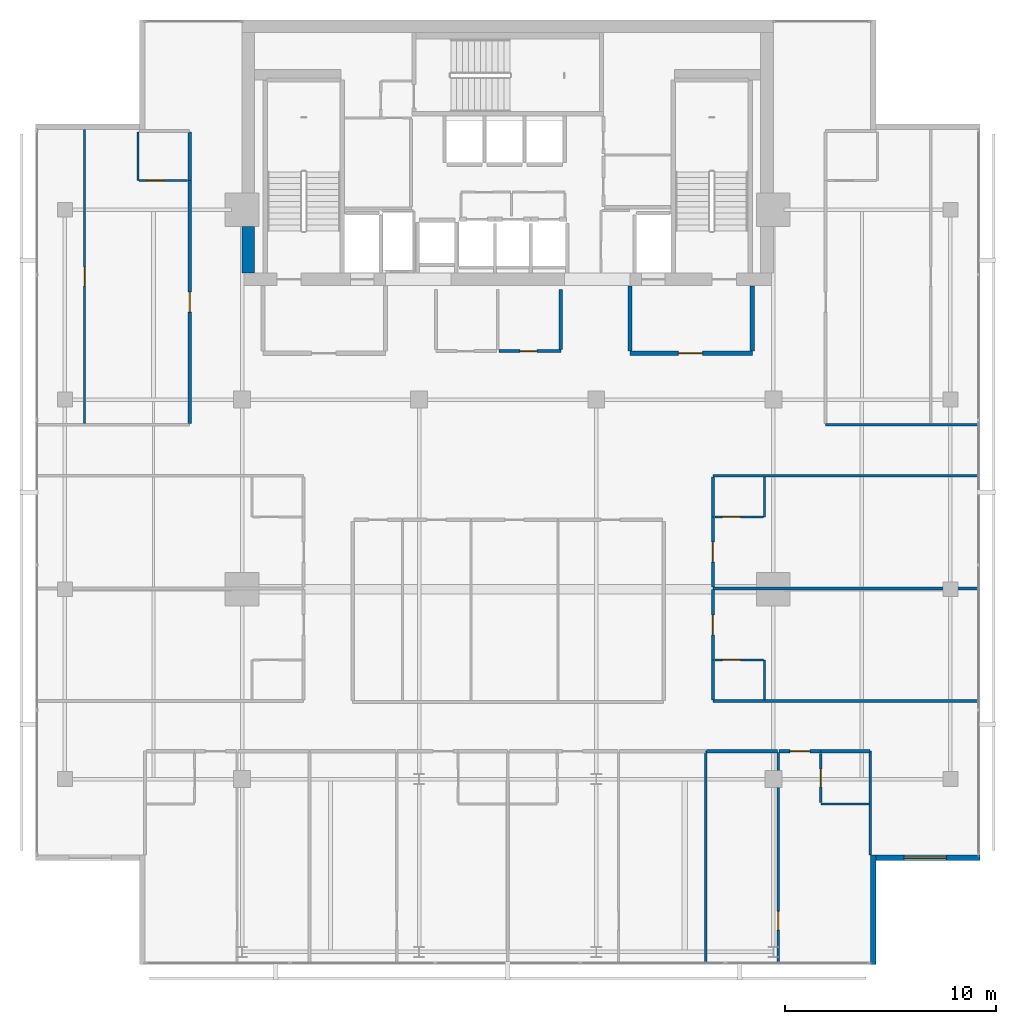
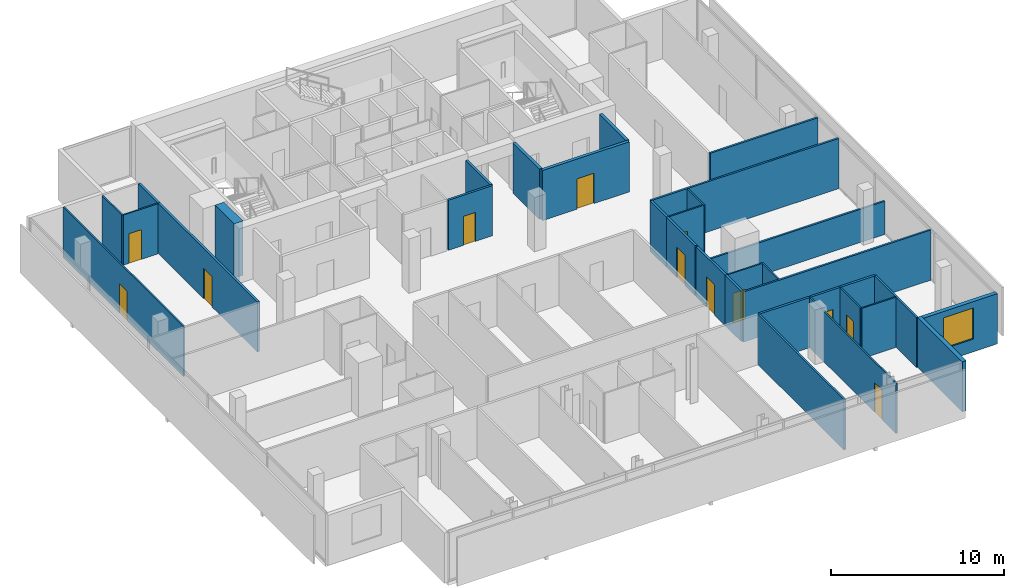
# One storey, part 21 of 26: 33 walls, 12 doors, 1 window, 13 openings.
"""IFC4 building model written with IfcOpenShell, lengths in metres."""

import ifcopenshell
import ifcopenshell.guid

model = None  # the IFC model being written
_history = None  # IfcOwnerHistory: only IFC2X3 demands one
_inside = {}  # id of a spatial element -> (the spatial element, [elements in it])
_under = {}  # id of a project, library or spatial element -> (it, [spatial elements below it])
_declared = {}  # id of a project -> (the project, [libraries it declares])
_typed = {}  # id of a type object -> (the type object, [elements of that type])
_made_of = {}  # id of a material, layer set ... -> (it, [elements and type objects made of it])


def new_model(schema):
    """Start an empty IFC model of exactly this schema.

    Asked for "IFC4X3", IfcOpenShell would pick the latest addendum, in which some entities
    have other attributes; the version numbers below select the first issue.
    IFC2X3 requires an IfcOwnerHistory on every rooted entity: one is made here for all.
    """
    global model, _history
    if schema == "IFC4X3":
        model = ifcopenshell.file(schema_version=(4, 3, 0, 0))
    else:
        model = ifcopenshell.file(schema=schema)
    _inside.clear()
    _under.clear()
    _declared.clear()
    _typed.clear()
    _made_of.clear()
    _history = None
    if model.schema == "IFC2X3":
        org = make("IfcOrganization", Name="unknown")
        user = make(
            "IfcPersonAndOrganization",
            ThePerson=make("IfcPerson", FamilyName="unknown"),
            TheOrganization=org,
        )
        app = make(
            "IfcApplication",
            ApplicationDeveloper=org,
            Version="unknown",
            ApplicationFullName="unknown",
            ApplicationIdentifier="unknown",
        )
        _history = make(
            "IfcOwnerHistory",
            OwningUser=user,
            OwningApplication=app,
            ChangeAction="ADDED",
            CreationDate=0,
        )
    return model


def make(cls, **values):
    """One entity of the class cls with the attributes given. An attribute that is None is left unset."""
    return model.create_entity(
        cls, **{name: value for name, value in values.items() if value is not None}
    )


def rooted(cls, **values):
    """An entity with a GlobalId (a new one), such as an element, a storey or a relation."""
    return make(cls, GlobalId=ifcopenshell.guid.new(), OwnerHistory=_history, **values)


def si_unit(unit_type, name, prefix=None):
    """IfcSIUnit, for example si_unit("LENGTHUNIT", "METRE", prefix="MILLI")."""
    return make("IfcSIUnit", UnitType=unit_type, Prefix=prefix, Name=name)


def assignment(units):
    """IfcUnitAssignment: the units of a project."""
    return None if units is None else make("IfcUnitAssignment", Units=units)


def point(xyz):
    """IfcCartesianPoint."""
    return None if xyz is None else make("IfcCartesianPoint", Coordinates=xyz)


def direction(xyz):
    """IfcDirection."""
    return None if xyz is None else make("IfcDirection", DirectionRatios=xyz)


def frame(location, z_axis=None, x_axis=None):
    """IfcAxis2Placement3D, a coordinate frame: its origin and axes. An axis left out is left unset."""
    return make(
        "IfcAxis2Placement3D",
        Location=point(location),
        Axis=direction(z_axis),
        RefDirection=direction(x_axis),
    )


def frame_2d(location, x_axis=None):
    """IfcAxis2Placement2D, a coordinate frame in the plane: its origin and x axis."""
    return make(
        "IfcAxis2Placement2D", Location=point(location), RefDirection=direction(x_axis)
    )


def origin():
    """The frame at (0, 0, 0) with its axes left unset."""
    return frame((0.0, 0.0, 0.0))


def place(relative_to, where):
    """IfcLocalPlacement: puts the frame where relative to a parent placement (None: the world)."""
    return make(
        "IfcLocalPlacement", PlacementRelTo=relative_to, RelativePlacement=where
    )


def context(
    kind, dimensions, precision=None, world=None, true_north=None, identifier=None
):
    """IfcGeometricRepresentationContext, for example the 3D "Model" context."""
    return make(
        "IfcGeometricRepresentationContext",
        ContextIdentifier=identifier,
        ContextType=kind,
        CoordinateSpaceDimension=dimensions,
        Precision=precision,
        WorldCoordinateSystem=world,
        TrueNorth=true_north,
    )


def subcontext(parent, identifier, kind, view, scale=None):
    """IfcGeometricRepresentationSubContext, for example "Body" below "Model"."""
    return make(
        "IfcGeometricRepresentationSubContext",
        ContextIdentifier=identifier,
        ContextType=kind,
        ParentContext=parent,
        TargetScale=scale,
        TargetView=view,
    )


def project(units=None, contexts=None):
    """IfcProject with its units and contexts."""
    return rooted(
        "IfcProject",
        Name="project",
        RepresentationContexts=contexts,
        UnitsInContext=assignment(units),
    )


def spatial(cls, under=None, at=None, **own):
    """A site, building, storey or space (cls), placed at a placement, below another one or the project."""
    s = rooted(cls, ObjectPlacement=at, **own)
    if under is not None:
        _under.setdefault(under.id(), (under, []))[1].append(s)
    return s


def profile(cls, at=None, kind="AREA", **sizes):
    """A parametric profile (cls). Its sizes go by their IFC names, for example OverallWidth=200.0."""
    return make(cls, ProfileType=kind, Position=at, **sizes)


def rectangle(**sizes):
    """IfcRectangleProfileDef."""
    return profile("IfcRectangleProfileDef", **sizes)


def extrude(swept, where, along, depth):
    """IfcExtrudedAreaSolid: the profile swept, set in the frame where, extruded along a direction by depth."""
    return make(
        "IfcExtrudedAreaSolid",
        SweptArea=swept,
        Position=where,
        ExtrudedDirection=direction(along),
        Depth=depth,
    )


def shape(context_of_items, identifier, shape_type, items):
    """IfcShapeRepresentation: the items that make up one representation, for example the "Body"."""
    return make(
        "IfcShapeRepresentation",
        ContextOfItems=context_of_items,
        RepresentationIdentifier=identifier,
        RepresentationType=shape_type,
        Items=items,
    )


def material(Name=None, Category=None):
    """IfcMaterial."""
    return make("IfcMaterial", Name=Name, Category=Category)


def layer(
    of_material, thickness, ventilated=None, Name=None, Category=None, Priority=None
):
    """IfcMaterialLayer: one layer of a wall or slab, of a material (None: an air gap)."""
    return make(
        "IfcMaterialLayer",
        Material=of_material,
        LayerThickness=thickness,
        IsVentilated=ventilated,
        Name=Name,
        Category=Category,
        Priority=Priority,
    )


def layer_set(layers, Name=None):
    """IfcMaterialLayerSet."""
    return make("IfcMaterialLayerSet", MaterialLayers=layers, LayerSetName=Name)


def made_of(thing, what):
    """Note that an element or type object is made of a material, layer set ...; save() writes the relation."""
    if what is not None:
        _made_of.setdefault(what.id(), (what, []))[1].append(thing)
    return thing


def type_object(cls, material=None, **own):
    """A type object (cls), such as IfcWallType, which elements share."""
    return made_of(rooted(cls, **own), material)


def element(
    cls,
    number,
    at=None,
    inside=None,
    cuts=None,
    type_object=None,
    material=None,
    context=None,
    identifier="Body",
    shape_type=None,
    held_by="IfcProductDefinitionShape",
    body=None,
    shapes=None,
    **own,
):
    """One element of the class cls, such as IfcWall. Its Tag is "e" and its number.

    at: its placement. inside: the storey or other place that contains it. cuts: it is an
    opening in that element (IfcRelVoidsElement). A single representation is given by context,
    identifier, shape_type and body (its items); several are given by shapes. held_by: the class
    of the entity that holds the representations. save() writes the other relations.
    """
    e = rooted(cls, Tag="e%d" % number, ObjectPlacement=at, **own)
    if body is not None:
        shapes = [shape(context, identifier, shape_type, body)]
    if shapes is not None:
        e.Representation = make(held_by, Representations=shapes)
    if inside is not None:
        _inside.setdefault(inside.id(), (inside, []))[1].append(e)
    if cuts is not None:
        rooted(
            "IfcRelVoidsElement", RelatingBuildingElement=cuts, RelatedOpeningElement=e
        )
    if type_object is not None:
        _typed.setdefault(type_object.id(), (type_object, []))[1].append(e)
    return made_of(e, material)


def fill(opening, filler):
    """IfcRelFillsElement: the door or window that sits in an opening."""
    return rooted(
        "IfcRelFillsElement",
        RelatingOpeningElement=opening,
        RelatedBuildingElement=filler,
    )


def aggregate(whole, parts):
    """IfcRelAggregates: a whole, such as a stair, and the parts it consists of."""
    return rooted("IfcRelAggregates", RelatingObject=whole, RelatedObjects=parts)


def save(model, path):
    """Write the relations noted so far, then the file.

    IfcRelAggregates (storeys below a building ...), IfcRelContainedInSpatialStructure (elements
    in a storey), IfcRelDefinesByType, IfcRelAssociatesMaterial and IfcRelDeclares: one each for
    every whole, place, type object, material and project.
    """
    for whole, parts in _under.values():
        aggregate(whole, parts)
    for where, things in _inside.values():
        rooted(
            "IfcRelContainedInSpatialStructure",
            RelatedElements=things,
            RelatingStructure=where,
        )
    for kind, things in _typed.values():
        rooted("IfcRelDefinesByType", RelatedObjects=things, RelatingType=kind)
    for what, things in _made_of.values():
        rooted("IfcRelAssociatesMaterial", RelatedObjects=things, RelatingMaterial=what)
    for by, libraries in _declared.values():
        rooted("IfcRelDeclares", RelatingContext=by, RelatedDefinitions=libraries)
    model.write(path)


model = new_model("IFC4")

# Units and contexts
model_context = context("Model", 3, precision=1e-05, world=origin(), true_north=direction((0.0, 1.0)))
body_context = subcontext(model_context, "Body", "Model", "MODEL_VIEW")
ifc_project = project(units=[si_unit("LENGTHUNIT", "METRE"), si_unit("AREAUNIT", "SQUARE_METRE"), si_unit("VOLUMEUNIT", "CUBIC_METRE"), si_unit("PLANEANGLEUNIT", "RADIAN"), si_unit("MASSUNIT", "GRAM", prefix="KILO")], contexts=[model_context])

# Site, building, storey
site_placement = place(None, origin())
site = spatial("IfcSite", under=ifc_project, at=site_placement, CompositionType="ELEMENT")
building_placement = place(site_placement, origin())
building = spatial("IfcBuilding", under=site, at=building_placement, Name="Maruvema Waterfront Hotel and Observation Tower", CompositionType="ELEMENT")
storey_placement = place(building_placement, frame((0.0, 0.0, 312.550048828125)))
storey = spatial("IfcBuildingStorey", under=building, at=storey_placement, Name="L77", CompositionType="ELEMENT", Elevation=312.550048828125)

# Wall, opening, door
ifc_material_1 = material(Name="Twin-stud acoustic gypsum drywall", Category="gypsum")
ifc_layer_1 = layer(ifc_material_1, 0.14990234375, Name="Acoustic Corridor and Suite Demising Wall 150 mm")
ifc_layer_set_1 = layer_set([ifc_layer_1], Name="Twin-stud acoustic gypsum drywall")
wall_type_1 = type_object("IfcWallType", Name="Acoustic Corridor and Suite Demising Wall 150 mm", PredefinedType="PARTITIONING", material=ifc_layer_set_1)
wall_1_placement = place(storey_placement, frame((37.3798828125, 38.300048828125, 0.0), z_axis=(0.0, 0.0, 1.0), x_axis=(1.0, 0.0, 0.0)))
wall_1 = element("IfcWall", 1, at=wall_1_placement, inside=storey, type_object=wall_type_1, Name="L77 Core Apron K2B South 027", PredefinedType="PARTITIONING", context=body_context, shape_type="SweptSolid", body=[
    extrude(rectangle(XDim=2.940185546875, YDim=0.14990234375, at=frame_2d((1.47021484375, 0.0))), origin(), (0.0, 0.0, 1.0), 3.550048828125),
])
opening_1_placement = place(wall_1_placement, frame((1.0, 0.0, 0.0)))
opening_1 = element("IfcOpeningElement", 2, at=opening_1_placement, cuts=wall_1, Name="Opening DR-080", PredefinedType="OPENING", context=body_context, shape_type="SweptSolid", body=[
    extrude(rectangle(XDim=0.800048828125, YDim=2.050048828125, at=frame_2d((0.39990234375, 1.02490234375))), frame((0.0, 0.0849609375, 0.0), z_axis=(0.0, -1.0, 0.0), x_axis=(1.0, 0.0, 0.0)), (0.0, 0.0, 1.0), 0.169921875),
])
ifc_material_2 = material(Name="Powder-coated steel access leaf", Category="steel")
door_type_1 = type_object("IfcDoorType", Name="Riser and Service Cupboard Door 800x2050 mm", OperationType="NOTDEFINED", PredefinedType="DOOR", material=ifc_material_2)
door_1_placement = place(opening_1_placement, frame((0.800048828125, 0.0, 0.0), z_axis=(0.0, 0.0, 1.0), x_axis=(-1.0, 0.0, 0.0)))
door_1 = element("IfcDoor", 3, at=door_1_placement, inside=storey, type_object=door_type_1, Name="L77 Core Valet Closet Door", OperationType="SINGLE_SWING_LEFT", OverallHeight=2.050048828125, OverallWidth=0.800048828125, PredefinedType="DOOR", context=body_context, shape_type="SweptSolid", body=[
    extrude(rectangle(XDim=0.800048828125, YDim=2.050048828125, at=frame_2d((0.39990234375, 1.02490234375))), frame((0.0, 0.02490234375, 0.0), z_axis=(0.0, -1.0, 0.0), x_axis=(1.0, 0.0, 0.0)), (0.0, 0.0, 1.0), 0.050048828125),
])
fill(opening_1, door_1)

# Walls
wall_2_placement = place(storey_placement, frame((40.320068359375, 38.3798828125, 0.0), z_axis=(0.0, 0.0, 1.0), x_axis=(0.0, 1.0, 0.0)))
element("IfcWall", 4, at=wall_2_placement, inside=storey, type_object=wall_type_1, Name="L77 Core Apron K2 East 030", PredefinedType="PARTITIONING", context=body_context, shape_type="SweptSolid", body=[
    extrude(rectangle(XDim=2.840087890625, YDim=0.14990234375, at=frame_2d((1.419921875, 0.0))), origin(), (0.0, 0.0, 1.0), 3.550048828125),
])
wall_3_placement = place(storey_placement, frame((52.64990234375, 19.320068359375, 0.0), z_axis=(0.0, 0.0, 1.0), x_axis=(1.0, 0.0, 0.0)))
element("IfcWall", 5, at=wall_3_placement, inside=storey, type_object=wall_type_1, Name="L77 Bath L77-S4 Back Wall 064", PredefinedType="PARTITIONING", context=body_context, shape_type="SweptSolid", body=[
    extrude(rectangle(XDim=2.330078125, YDim=0.14990234375, at=frame_2d((1.1650390625, 0.0))), origin(), (0.0, 0.0, 1.0), 3.550048828125),
])
wall_4_placement = place(storey_placement, frame((47.219970703125, 19.320068359375, 0.0), z_axis=(0.0, 0.0, 1.0), x_axis=(1.0, 0.0, 0.0)))
element("IfcWall", 6, at=wall_4_placement, inside=storey, type_object=wall_type_1, Name="L77 Bedroom L77-S4 Back Wall 067", PredefinedType="PARTITIONING", context=body_context, shape_type="SweptSolid", body=[
    extrude(rectangle(XDim=3.3720703125, YDim=0.14990234375, at=frame_2d((1.68603515625, 0.0))), origin(), (0.0, 0.0, 1.0), 3.550048828125),
])

# Wall, opening, door
wall_5_placement = place(storey_placement, frame((50.672119140625, 19.320068359375, 0.0), z_axis=(0.0, 0.0, 1.0), x_axis=(1.0, 0.0, 0.0)))
wall_5 = element("IfcWall", 7, at=wall_5_placement, inside=storey, type_object=wall_type_1, Name="L77 Unit L77-S4 Corridor Wall 068", PredefinedType="PARTITIONING", context=body_context, shape_type="SweptSolid", body=[
    extrude(rectangle(XDim=1.977783203125, YDim=0.14990234375, at=frame_2d((0.98876953125, 0.0))), origin(), (0.0, 0.0, 1.0), 3.550048828125),
])
opening_2_placement = place(wall_5_placement, frame((0.513916015625, 0.0, 0.0)))
opening_2 = element("IfcOpeningElement", 8, at=opening_2_placement, cuts=wall_5, Name="Opening DR-095", PredefinedType="OPENING", context=body_context, shape_type="SweptSolid", body=[
    extrude(rectangle(XDim=0.949951171875, YDim=2.14990234375, at=frame_2d((0.47509765625, 1.074951171875))), frame((0.0, 0.0849609375, 0.0), z_axis=(0.0, -1.0, 0.0), x_axis=(1.0, 0.0, 0.0)), (0.0, 0.0, 1.0), 0.169921875),
])
ifc_material_3 = material(Name="Acoustic solid-core hardwood timber leaf", Category="wood")
door_type_2 = type_object("IfcDoorType", Name="Guestroom Entrance Fire Door 950x2150 mm", OperationType="NOTDEFINED", PredefinedType="DOOR", material=ifc_material_3)
door_2_placement = place(opening_2_placement, frame((0.949951171875, 0.0, 0.0), z_axis=(0.0, 0.0, 1.0), x_axis=(-1.0, 0.0, 0.0)))
door_2 = element("IfcDoor", 9, at=door_2_placement, inside=storey, type_object=door_type_2, Name="L77 Unit L77-S4 Entrance Door", OperationType="SINGLE_SWING_RIGHT", OverallHeight=2.14990234375, OverallWidth=0.949951171875, PredefinedType="DOOR", context=body_context, shape_type="SweptSolid", body=[
    extrude(rectangle(XDim=0.949951171875, YDim=2.14990234375, at=frame_2d((0.47509765625, 1.074951171875))), frame((0.0, 0.02490234375, 0.0), z_axis=(0.0, -1.0, 0.0), x_axis=(1.0, 0.0, 0.0)), (0.0, 0.0, 1.0), 0.050048828125),
])
fill(opening_2, door_2)

# Wall
wall_6_placement = place(storey_placement, frame((47.530029296875, 21.760009765625, 0.0), z_axis=(0.0, 0.0, 1.0), x_axis=(0.0, 1.0, 0.0)))
element("IfcWall", 10, at=wall_6_placement, inside=storey, type_object=wall_type_1, Name="L77 Bath L77-E1 Wall 078", PredefinedType="PARTITIONING", context=body_context, shape_type="SweptSolid", body=[
    extrude(rectangle(XDim=1.889892578125, YDim=0.14990234375, at=frame_2d((0.94482421875, 0.0))), origin(), (0.0, 0.0, 1.0), 3.550048828125),
])

# Wall, opening, door
wall_7_placement = place(storey_placement, frame((47.530029296875, 23.64990234375, 0.0), z_axis=(0.0, 0.0, 1.0), x_axis=(0.0, 1.0, 0.0)))
wall_7 = element("IfcWall", 11, at=wall_7_placement, inside=storey, type_object=wall_type_1, Name="L77 Room L77-E1 Corridor Wall 079", PredefinedType="PARTITIONING", context=body_context, shape_type="SweptSolid", body=[
    extrude(rectangle(XDim=3.330078125, YDim=0.14990234375, at=frame_2d((1.6650390625, 0.0))), origin(), (0.0, 0.0, 1.0), 3.550048828125),
])
opening_3_placement = place(wall_7_placement, frame((1.18994140625, 0.0, 0.0)))
opening_3 = element("IfcOpeningElement", 12, at=opening_3_placement, cuts=wall_7, Name="Opening DR-095", PredefinedType="OPENING", context=body_context, shape_type="SweptSolid", body=[
    extrude(rectangle(XDim=0.949951171875, YDim=2.14990234375, at=frame_2d((0.47509765625, 1.074951171875))), frame((0.0, 0.0849609375, 0.0), z_axis=(0.0, -1.0, 0.0), x_axis=(1.0, 0.0, 0.0)), (0.0, 0.0, 1.0), 0.169921875),
])
door_3_placement = place(opening_3_placement, frame((0.949951171875, 0.0, 0.0), z_axis=(0.0, 0.0, 1.0), x_axis=(-1.0, 0.0, 0.0)))
door_3 = element("IfcDoor", 13, at=door_3_placement, inside=storey, type_object=door_type_2, Name="L77 Room L77-E1 Entrance Door", OperationType="SINGLE_SWING_LEFT", OverallHeight=2.14990234375, OverallWidth=0.949951171875, PredefinedType="DOOR", context=body_context, shape_type="SweptSolid", body=[
    extrude(rectangle(XDim=0.949951171875, YDim=2.14990234375, at=frame_2d((0.47509765625, 1.074951171875))), frame((0.0, 0.02490234375, 0.0), z_axis=(0.0, -1.0, 0.0), x_axis=(1.0, 0.0, 0.0)), (0.0, 0.0, 1.0), 0.050048828125),
])
fill(opening_3, door_3)

wall_8_placement = place(storey_placement, frame((47.530029296875, 27.10009765625, 0.0), z_axis=(0.0, 0.0, 1.0), x_axis=(0.0, 1.0, 0.0)))
wall_8 = element("IfcWall", 14, at=wall_8_placement, inside=storey, type_object=wall_type_1, Name="L77 Room L77-E2 Corridor Wall 088", PredefinedType="PARTITIONING", context=body_context, shape_type="SweptSolid", body=[
    extrude(rectangle(XDim=3.329833984375, YDim=0.14990234375, at=frame_2d((1.6650390625, 0.0))), origin(), (0.0, 0.0, 1.0), 3.550048828125),
])
opening_4_placement = place(wall_8_placement, frame((1.18994140625, 0.0, 0.0)))
opening_4 = element("IfcOpeningElement", 15, at=opening_4_placement, cuts=wall_8, Name="Opening DR-095", PredefinedType="OPENING", context=body_context, shape_type="SweptSolid", body=[
    extrude(rectangle(XDim=0.949951171875, YDim=2.14990234375, at=frame_2d((0.47509765625, 1.074951171875))), frame((0.0, 0.0849609375, 0.0), z_axis=(0.0, -1.0, 0.0), x_axis=(1.0, 0.0, 0.0)), (0.0, 0.0, 1.0), 0.169921875),
])
door_4_placement = place(opening_4_placement, frame((0.949951171875, 0.0, 0.0), z_axis=(0.0, 0.0, 1.0), x_axis=(-1.0, 0.0, 0.0)))
door_4 = element("IfcDoor", 16, at=door_4_placement, inside=storey, type_object=door_type_2, Name="L77 Room L77-E2 Entrance Door", OperationType="SINGLE_SWING_LEFT", OverallHeight=2.14990234375, OverallWidth=0.949951171875, PredefinedType="DOOR", context=body_context, shape_type="SweptSolid", body=[
    extrude(rectangle(XDim=0.949951171875, YDim=2.14990234375, at=frame_2d((0.47509765625, 1.074951171875))), frame((0.0, 0.02490234375, 0.0), z_axis=(0.0, -1.0, 0.0), x_axis=(1.0, 0.0, 0.0)), (0.0, 0.0, 1.0), 0.050048828125),
])
fill(opening_4, door_4)

# Wall
wall_9_placement = place(storey_placement, frame((47.530029296875, 30.429931640625, 0.0), z_axis=(0.0, 0.0, 1.0), x_axis=(0.0, 1.0, 0.0)))
element("IfcWall", 17, at=wall_9_placement, inside=storey, type_object=wall_type_1, Name="L77 Bath L77-E2 Wall 089", PredefinedType="PARTITIONING", context=body_context, shape_type="SweptSolid", body=[
    extrude(rectangle(XDim=1.89013671875, YDim=0.14990234375, at=frame_2d((0.945068359375, 0.0))), origin(), (0.0, 0.0, 1.0), 3.550048828125),
])

# Wall, opening, door
wall_10_placement = place(storey_placement, frame((22.719970703125, 34.860107421875, 0.0), z_axis=(0.0, 0.0, 1.0), x_axis=(0.0, 1.0, 0.0)))
wall_10 = element("IfcWall", 18, at=wall_10_placement, inside=storey, type_object=wall_type_1, Name="L77 Room L77-NW1 Corridor Wall 096", PredefinedType="PARTITIONING", context=body_context, shape_type="SweptSolid", body=[
    extrude(rectangle(XDim=11.52734375, YDim=0.14990234375, at=frame_2d((5.763671875, 0.0))), origin(), (0.0, 0.0, 1.0), 3.550048828125),
])
opening_5_placement = place(wall_10_placement, frame((5.288818359375, 0.0, 0.0)))
opening_5 = element("IfcOpeningElement", 19, at=opening_5_placement, cuts=wall_10, Name="Opening DR-095", PredefinedType="OPENING", context=body_context, shape_type="SweptSolid", body=[
    extrude(rectangle(XDim=0.949951171875, YDim=2.14990234375, at=frame_2d((0.47509765625, 1.074951171875))), frame((0.0, 0.0849609375, 0.0), z_axis=(0.0, -1.0, 0.0), x_axis=(1.0, 0.0, 0.0)), (0.0, 0.0, 1.0), 0.169921875),
])
door_5_placement = place(opening_5_placement, origin())
door_5 = element("IfcDoor", 20, at=door_5_placement, inside=storey, type_object=door_type_2, Name="L77 Room L77-NW1 Entrance Door", OperationType="SINGLE_SWING_LEFT", OverallHeight=2.14990234375, OverallWidth=0.949951171875, PredefinedType="DOOR", context=body_context, shape_type="SweptSolid", body=[
    extrude(rectangle(XDim=0.949951171875, YDim=2.14990234375, at=frame_2d((0.47509765625, 1.074951171875))), frame((0.0, 0.02490234375, 0.0), z_axis=(0.0, -1.0, 0.0), x_axis=(1.0, 0.0, 0.0)), (0.0, 0.0, 1.0), 0.050048828125),
])
fill(opening_5, door_5)

# Walls
wall_11_placement = place(storey_placement, frame((22.719970703125, 46.387451171875, 0.0), z_axis=(0.0, 0.0, 1.0), x_axis=(0.0, 1.0, 0.0)))
element("IfcWall", 21, at=wall_11_placement, inside=storey, type_object=wall_type_1, Name="L77 Bath L77-NW1 Wall 097", PredefinedType="PARTITIONING", context=body_context, shape_type="SweptSolid", body=[
    extrude(rectangle(XDim=2.2900390625, YDim=0.14990234375, at=frame_2d((1.14501953125, 0.0))), origin(), (0.0, 0.0, 1.0), 3.550048828125),
])
ifc_material_4 = material(Name="Concrete C60/75", Category="concrete")
ifc_layer_2 = layer(ifc_material_4, 0.60009765625, Name="Core Shear Wall 600 mm")
ifc_layer_set_2 = layer_set([ifc_layer_2], Name="Concrete C60/75")
wall_type_2 = type_object("IfcWallType", Name="Core Shear Wall 600 mm", PredefinedType="SHEAR", material=ifc_layer_set_2)
wall_12_placement = place(storey_placement, frame((25.5, 42.0, 0.0), z_axis=(0.0, 0.0, 1.0), x_axis=(0.0, 1.0, 0.0)))
element("IfcWall", 22, at=wall_12_placement, inside=storey, type_object=wall_type_2, Name="L77 West-South Core Shear Wall", PredefinedType="SHEAR", context=body_context, shape_type="SweptSolid", body=[
    extrude(rectangle(XDim=2.199951171875, YDim=0.60009765625, at=frame_2d((1.10009765625, 0.0))), origin(), (0.0, 0.0, 1.0), 3.849853515625),
])
ifc_material_5 = material(Name="Moisture-resistant cement-board drywall", Category="gypsum")
ifc_layer_3 = layer(ifc_material_5, 0.10009765625, Name="En-Suite Moisture-Resistant Partition 100 mm")
ifc_layer_set_3 = layer_set([ifc_layer_3], Name="Moisture-resistant cement-board drywall")
wall_type_3 = type_object("IfcWallType", Name="En-Suite Moisture-Resistant Partition 100 mm", PredefinedType="PARTITIONING", material=ifc_layer_set_3)
wall_13_placement = place(storey_placement, frame((52.64990234375, 16.820068359375, 0.0), z_axis=(0.0, 0.0, 1.0), x_axis=(1.0, 0.0, 0.0)))
element("IfcWall", 23, at=wall_13_placement, inside=storey, type_object=wall_type_3, Name="L77 En-Suite L77-S4 South 065", PredefinedType="PARTITIONING", context=body_context, shape_type="SweptSolid", body=[
    extrude(rectangle(XDim=2.31005859375, YDim=0.10009765625, at=frame_2d((1.155029296875, 0.0))), origin(), (0.0, 0.0, 1.0), 3.550048828125),
])

# Wall, opening, door
wall_14_placement = place(storey_placement, frame((52.64990234375, 16.8798828125, 0.0), z_axis=(0.0, 0.0, 1.0), x_axis=(0.0, 1.0, 0.0)))
wall_14 = element("IfcWall", 24, at=wall_14_placement, inside=storey, type_object=wall_type_3, Name="L77 En-Suite L77-S4 West 066", PredefinedType="PARTITIONING", context=body_context, shape_type="SweptSolid", body=[
    extrude(rectangle(XDim=2.340087890625, YDim=0.10009765625, at=frame_2d((1.169921875, 0.0))), origin(), (0.0, 0.0, 1.0), 3.550048828125),
])
opening_6_placement = place(wall_14_placement, frame((0.7451171875, 0.0, 0.0)))
opening_6 = element("IfcOpeningElement", 25, at=opening_6_placement, cuts=wall_14, Name="Opening DR-085", PredefinedType="OPENING", context=body_context, shape_type="SweptSolid", body=[
    extrude(rectangle(XDim=0.85009765625, YDim=2.10009765625, at=frame_2d((0.425048828125, 1.050048828125))), frame((0.0, 0.06005859375, 0.0), z_axis=(0.0, -1.0, 0.0), x_axis=(1.0, 0.0, 0.0)), (0.0, 0.0, 1.0), 0.1201171875),
])
ifc_material_6 = material(Name="Moisture-resistant solid timber leaf", Category="wood")
door_type_3 = type_object("IfcDoorType", Name="En-Suite Bathroom Door 850x2100 mm", OperationType="NOTDEFINED", PredefinedType="DOOR", material=ifc_material_6)
door_6_placement = place(opening_6_placement, origin())
door_6 = element("IfcDoor", 26, at=door_6_placement, inside=storey, type_object=door_type_3, Name="L77 En-Suite L77-S4 Door", OperationType="SINGLE_SWING_LEFT", OverallHeight=2.10009765625, OverallWidth=0.85009765625, PredefinedType="DOOR", context=body_context, shape_type="SweptSolid", body=[
    extrude(rectangle(XDim=0.85009765625, YDim=2.10009765625, at=frame_2d((0.425048828125, 1.050048828125))), frame((0.0, 0.02490234375, 0.0), z_axis=(0.0, -1.0, 0.0), x_axis=(1.0, 0.0, 0.0)), (0.0, 0.0, 1.0), 0.050048828125),
])
fill(opening_6, door_6)

wall_15_placement = place(storey_placement, frame((50.632080078125, 9.22998046875, 0.0), z_axis=(0.0, 0.0, 1.0), x_axis=(0.0, 1.0, 0.0)))
wall_15 = element("IfcWall", 27, at=wall_15_placement, inside=storey, type_object=wall_type_3, Name="L77 Suite L77-S4 Split 069", PredefinedType="PARTITIONING", context=body_context, shape_type="SweptSolid", body=[
    extrude(rectangle(XDim=10.030029296875, YDim=0.10009765625, at=frame_2d((5.01513671875, 0.0))), origin(), (0.0, 0.0, 1.0), 3.550048828125),
])
opening_7_placement = place(wall_15_placement, frame((1.60009765625, 0.0, 0.0)))
opening_7 = element("IfcOpeningElement", 28, at=opening_7_placement, cuts=wall_15, Name="Opening DR-090", PredefinedType="OPENING", context=body_context, shape_type="SweptSolid", body=[
    extrude(rectangle(XDim=0.89990234375, YDim=2.10009765625, at=frame_2d((0.449951171875, 1.050048828125))), frame((0.0, 0.06005859375, 0.0), z_axis=(0.0, -1.0, 0.0), x_axis=(1.0, 0.0, 0.0)), (0.0, 0.0, 1.0), 0.1201171875),
])
ifc_material_7 = material(Name="Solid-core lacquered timber leaf", Category="wood")
door_type_4 = type_object("IfcDoorType", Name="Accessible Toilet and Room Door 900x2100 mm", OperationType="NOTDEFINED", PredefinedType="DOOR", material=ifc_material_7)
door_7_placement = place(opening_7_placement, frame((0.89990234375, 0.0, 0.0), z_axis=(0.0, 0.0, 1.0), x_axis=(-1.0, 0.0, 0.0)))
door_7 = element("IfcDoor", 29, at=door_7_placement, inside=storey, type_object=door_type_4, Name="L77 Suite L77-S4 Bedroom Door", OperationType="SINGLE_SWING_LEFT", OverallHeight=2.10009765625, OverallWidth=0.89990234375, PredefinedType="DOOR", context=body_context, shape_type="SweptSolid", body=[
    extrude(rectangle(XDim=0.89990234375, YDim=2.10009765625, at=frame_2d((0.449951171875, 1.050048828125))), frame((0.0, 0.02490234375, 0.0), z_axis=(0.0, -1.0, 0.0), x_axis=(1.0, 0.0, 0.0)), (0.0, 0.0, 1.0), 0.050048828125),
])
fill(opening_7, door_7)

# Wall
wall_16_placement = place(storey_placement, frame((49.97998046875, 21.760009765625, 0.0), z_axis=(0.0, 0.0, 1.0), x_axis=(0.0, 1.0, 0.0)))
element("IfcWall", 30, at=wall_16_placement, inside=storey, type_object=wall_type_3, Name="L77 En-Suite L77-E1 E 080", PredefinedType="PARTITIONING", context=body_context, shape_type="SweptSolid", body=[
    extrude(rectangle(XDim=1.889892578125, YDim=0.10009765625, at=frame_2d((0.94482421875, 0.0))), origin(), (0.0, 0.0, 1.0), 3.550048828125),
])

# Wall, opening, door
wall_17_placement = place(storey_placement, frame((47.6298828125, 23.64990234375, 0.0), z_axis=(0.0, 0.0, 1.0), x_axis=(1.0, 0.0, 0.0)))
wall_17 = element("IfcWall", 31, at=wall_17_placement, inside=storey, type_object=wall_type_3, Name="L77 En-Suite L77-E1 N 081", PredefinedType="PARTITIONING", context=body_context, shape_type="SweptSolid", body=[
    extrude(rectangle(XDim=2.300048828125, YDim=0.10009765625, at=frame_2d((1.14990234375, 0.0))), origin(), (0.0, 0.0, 1.0), 3.550048828125),
])
opening_8_placement = place(wall_17_placement, frame((0.35009765625, 0.0, 0.0)))
opening_8 = element("IfcOpeningElement", 32, at=opening_8_placement, cuts=wall_17, Name="Opening DR-085", PredefinedType="OPENING", context=body_context, shape_type="SweptSolid", body=[
    extrude(rectangle(XDim=0.85009765625, YDim=2.10009765625, at=frame_2d((0.425048828125, 1.050048828125))), frame((0.0, 0.06005859375, 0.0), z_axis=(0.0, -1.0, 0.0), x_axis=(1.0, 0.0, 0.0)), (0.0, 0.0, 1.0), 0.1201171875),
])
door_8_placement = place(opening_8_placement, origin())
door_8 = element("IfcDoor", 33, at=door_8_placement, inside=storey, type_object=door_type_3, Name="L77 En-Suite L77-E1 Door", OperationType="SINGLE_SWING_RIGHT", OverallHeight=2.10009765625, OverallWidth=0.85009765625, PredefinedType="DOOR", context=body_context, shape_type="SweptSolid", body=[
    extrude(rectangle(XDim=0.85009765625, YDim=2.10009765625, at=frame_2d((0.425048828125, 1.050048828125))), frame((0.0, 0.02490234375, 0.0), z_axis=(0.0, -1.0, 0.0), x_axis=(1.0, 0.0, 0.0)), (0.0, 0.0, 1.0), 0.050048828125),
])
fill(opening_8, door_8)

# Wall
wall_18_placement = place(storey_placement, frame((49.97998046875, 30.429931640625, 0.0), z_axis=(0.0, 0.0, 1.0), x_axis=(0.0, 1.0, 0.0)))
element("IfcWall", 34, at=wall_18_placement, inside=storey, type_object=wall_type_3, Name="L77 En-Suite L77-E2 E 090", PredefinedType="PARTITIONING", context=body_context, shape_type="SweptSolid", body=[
    extrude(rectangle(XDim=1.89013671875, YDim=0.10009765625, at=frame_2d((0.945068359375, 0.0))), origin(), (0.0, 0.0, 1.0), 3.550048828125),
])

# Wall, opening, door
wall_19_placement = place(storey_placement, frame((47.6298828125, 30.429931640625, 0.0), z_axis=(0.0, 0.0, 1.0), x_axis=(1.0, 0.0, 0.0)))
wall_19 = element("IfcWall", 35, at=wall_19_placement, inside=storey, type_object=wall_type_3, Name="L77 En-Suite L77-E2 S 091", PredefinedType="PARTITIONING", context=body_context, shape_type="SweptSolid", body=[
    extrude(rectangle(XDim=2.300048828125, YDim=0.10009765625, at=frame_2d((1.14990234375, 0.0))), origin(), (0.0, 0.0, 1.0), 3.550048828125),
])
opening_9_placement = place(wall_19_placement, frame((0.35009765625, 0.0, 0.0)))
opening_9 = element("IfcOpeningElement", 36, at=opening_9_placement, cuts=wall_19, Name="Opening DR-085", PredefinedType="OPENING", context=body_context, shape_type="SweptSolid", body=[
    extrude(rectangle(XDim=0.85009765625, YDim=2.10009765625, at=frame_2d((0.425048828125, 1.050048828125))), frame((0.0, 0.06005859375, 0.0), z_axis=(0.0, -1.0, 0.0), x_axis=(1.0, 0.0, 0.0)), (0.0, 0.0, 1.0), 0.1201171875),
])
door_9_placement = place(opening_9_placement, frame((0.85009765625, 0.0, 0.0), z_axis=(0.0, 0.0, 1.0), x_axis=(-1.0, 0.0, 0.0)))
door_9 = element("IfcDoor", 37, at=door_9_placement, inside=storey, type_object=door_type_3, Name="L77 En-Suite L77-E2 Door", OperationType="SINGLE_SWING_RIGHT", OverallHeight=2.10009765625, OverallWidth=0.85009765625, PredefinedType="DOOR", context=body_context, shape_type="SweptSolid", body=[
    extrude(rectangle(XDim=0.85009765625, YDim=2.10009765625, at=frame_2d((0.425048828125, 1.050048828125))), frame((0.0, 0.02490234375, 0.0), z_axis=(0.0, -1.0, 0.0), x_axis=(1.0, 0.0, 0.0)), (0.0, 0.0, 1.0), 0.050048828125),
])
fill(opening_9, door_9)

# Wall
wall_20_placement = place(storey_placement, frame((20.27001953125, 46.387451171875, 0.0), z_axis=(0.0, 0.0, 1.0), x_axis=(0.0, 1.0, 0.0)))
element("IfcWall", 38, at=wall_20_placement, inside=storey, type_object=wall_type_3, Name="L77 En-Suite L77-NW1 W 098", PredefinedType="PARTITIONING", context=body_context, shape_type="SweptSolid", body=[
    extrude(rectangle(XDim=2.2900390625, YDim=0.10009765625, at=frame_2d((1.14501953125, 0.0))), origin(), (0.0, 0.0, 1.0), 3.550048828125),
])

# Wall, opening, door
wall_21_placement = place(storey_placement, frame((20.320068359375, 46.387451171875, 0.0), z_axis=(0.0, 0.0, 1.0), x_axis=(1.0, 0.0, 0.0)))
wall_21 = element("IfcWall", 39, at=wall_21_placement, inside=storey, type_object=wall_type_3, Name="L77 En-Suite L77-NW1 S 099", PredefinedType="PARTITIONING", context=body_context, shape_type="SweptSolid", body=[
    extrude(rectangle(XDim=2.300048828125, YDim=0.10009765625, at=frame_2d((1.14990234375, 0.0))), origin(), (0.0, 0.0, 1.0), 3.550048828125),
])
opening_10_placement = place(wall_21_placement, frame((0.35009765625, 0.0, 0.0)))
opening_10 = element("IfcOpeningElement", 40, at=opening_10_placement, cuts=wall_21, Name="Opening DR-085", PredefinedType="OPENING", context=body_context, shape_type="SweptSolid", body=[
    extrude(rectangle(XDim=0.85009765625, YDim=2.10009765625, at=frame_2d((0.425048828125, 1.050048828125))), frame((0.0, 0.06005859375, 0.0), z_axis=(0.0, -1.0, 0.0), x_axis=(1.0, 0.0, 0.0)), (0.0, 0.0, 1.0), 0.1201171875),
])
door_10_placement = place(opening_10_placement, frame((0.85009765625, 0.0, 0.0), z_axis=(0.0, 0.0, 1.0), x_axis=(-1.0, 0.0, 0.0)))
door_10 = element("IfcDoor", 41, at=door_10_placement, inside=storey, type_object=door_type_3, Name="L77 En-Suite L77-NW1 Door", OperationType="SINGLE_SWING_RIGHT", OverallHeight=2.10009765625, OverallWidth=0.85009765625, PredefinedType="DOOR", context=body_context, shape_type="SweptSolid", body=[
    extrude(rectangle(XDim=0.85009765625, YDim=2.10009765625, at=frame_2d((0.425048828125, 1.050048828125))), frame((0.0, 0.02490234375, 0.0), z_axis=(0.0, -1.0, 0.0), x_axis=(1.0, 0.0, 0.0)), (0.0, 0.0, 1.0), 0.050048828125),
])
fill(opening_10, door_10)

wall_22_placement = place(storey_placement, frame((17.737548828125, 34.860107421875, 0.0), z_axis=(0.0, 0.0, 1.0), x_axis=(0.0, 1.0, 0.0)))
wall_22 = element("IfcWall", 42, at=wall_22_placement, inside=storey, type_object=wall_type_3, Name="L77 Suite L77-NW1 Split 100", PredefinedType="PARTITIONING", context=body_context, shape_type="SweptSolid", body=[
    extrude(rectangle(XDim=13.9375, YDim=0.10009765625, at=frame_2d((6.96875, 0.0))), origin(), (0.0, 0.0, 1.0), 3.550048828125),
])
opening_11_placement = place(wall_22_placement, frame((6.518798828125, 0.0, 0.0)))
opening_11 = element("IfcOpeningElement", 43, at=opening_11_placement, cuts=wall_22, Name="Opening DR-090", PredefinedType="OPENING", context=body_context, shape_type="SweptSolid", body=[
    extrude(rectangle(XDim=0.89990234375, YDim=2.10009765625, at=frame_2d((0.449951171875, 1.050048828125))), frame((0.0, 0.06005859375, 0.0), z_axis=(0.0, -1.0, 0.0), x_axis=(1.0, 0.0, 0.0)), (0.0, 0.0, 1.0), 0.1201171875),
])
door_11_placement = place(opening_11_placement, origin())
door_11 = element("IfcDoor", 44, at=door_11_placement, inside=storey, type_object=door_type_4, Name="L77 Suite L77-NW1 Bedroom Door", OperationType="SINGLE_SWING_RIGHT", OverallHeight=2.10009765625, OverallWidth=0.89990234375, PredefinedType="DOOR", context=body_context, shape_type="SweptSolid", body=[
    extrude(rectangle(XDim=0.89990234375, YDim=2.10009765625, at=frame_2d((0.449951171875, 1.050048828125))), frame((0.0, 0.02490234375, 0.0), z_axis=(0.0, -1.0, 0.0), x_axis=(1.0, 0.0, 0.0)), (0.0, 0.0, 1.0), 0.050048828125),
])
fill(opening_11, door_11)

# Wall
ifc_material_8 = material(Name="Precast concrete C45/55 with honed Pernambuco granite facing", Category="masonry")
ifc_layer_4 = layer(ifc_material_8, 0.260009765625, Name="Exterior Granite Clad Spandrel and Pier Wall 260 mm")
ifc_layer_set_4 = layer_set([ifc_layer_4], Name="Precast concrete C45/55 with honed Pernambuco granite facing")
wall_type_4 = type_object("IfcWallType", Name="Exterior Granite Clad Spandrel and Pier Wall 260 mm", PredefinedType="SOLIDWALL", material=ifc_layer_set_4)
wall_23_placement = place(storey_placement, frame((55.1298828125, 14.39990234375, 0.0), z_axis=(0.0, 0.0, 1.0), x_axis=(0.0, -1.0, 0.0)))
element("IfcWall", 45, at=wall_23_placement, inside=storey, type_object=wall_type_4, Name="L77 Corner Notch Granite Pier Wall SE1", PredefinedType="SOLIDWALL", context=body_context, shape_type="SweptSolid", body=[
    extrude(rectangle(XDim=5.199951171875, YDim=0.260009765625, at=frame_2d((2.60009765625, 0.0))), origin(), (0.0, 0.0, 1.0), 3.550048828125),
])

# Wall, opening, window
wall_24_placement = place(storey_placement, frame((60.199951171875, 14.27001953125, 0.0), z_axis=(0.0, 0.0, 1.0), x_axis=(-1.0, 0.0, 0.0)))
wall_24 = element("IfcWall", 46, at=wall_24_placement, inside=storey, type_object=wall_type_4, Name="L77 Corner Notch Granite Pier Wall SE2", PredefinedType="SOLIDWALL", context=body_context, shape_type="SweptSolid", body=[
    extrude(rectangle(XDim=5.199951171875, YDim=0.260009765625, at=frame_2d((2.60009765625, 0.0))), origin(), (0.0, 0.0, 1.0), 3.550048828125),
])
opening_12_placement = place(wall_24_placement, frame((1.60009765625, 0.0, 0.89990234375)))
opening_12 = element("IfcOpeningElement", 47, at=opening_12_placement, cuts=wall_24, Name="Opening WN-03", PredefinedType="OPENING", context=body_context, shape_type="SweptSolid", body=[
    extrude(rectangle(XDim=2.0, YDim=2.199951171875, at=frame_2d((1.0, 1.10009765625))), frame((0.0, 0.14013671875, 0.0), z_axis=(0.0, -1.0, 0.0), x_axis=(1.0, 0.0, 0.0)), (0.0, 0.0, 1.0), 0.280029296875),
])
ifc_material_9 = material(Name="Anodised bronze aluminium frame with laminated low-E glass", Category="aluminium")
window_type = type_object("IfcWindowType", Name="Sky Suite Panoramic Notch Window 2000x2200 mm", PartitioningType="SINGLE_PANEL", PredefinedType="WINDOW", material=ifc_material_9)
window_placement = place(opening_12_placement, origin())
window = element("IfcWindow", 48, at=window_placement, inside=storey, type_object=window_type, Name="L77 Corner Notch Punched Window SE2", OverallHeight=2.199951171875, OverallWidth=2.0, PartitioningType="SINGLE_PANEL", PredefinedType="WINDOW", context=body_context, shape_type="SweptSolid", body=[
    extrude(rectangle(XDim=2.0, YDim=2.199951171875, at=frame_2d((1.0, 1.10009765625))), frame((0.0, 0.030029296875, 0.0), z_axis=(0.0, -1.0, 0.0), x_axis=(1.0, 0.0, 0.0)), (0.0, 0.0, 1.0), 0.06005859375),
])
fill(opening_12, window)

# Wall, opening, door
ifc_material_10 = material(Name="Autoclaved cellular concrete blockwork", Category="masonry")
ifc_layer_5 = layer(ifc_material_10, 0.199951171875, Name="Fire Compartment Masonry Wall 200 mm")
ifc_layer_set_5 = layer_set([ifc_layer_5], Name="Autoclaved cellular concrete blockwork")
wall_type_5 = type_object("IfcWallType", Name="Fire Compartment Masonry Wall 200 mm", PredefinedType="PARTITIONING", material=ifc_layer_set_5)
wall_25_placement = place(storey_placement, frame((43.60009765625, 38.199951171875, 0.0), z_axis=(0.0, 0.0, 1.0), x_axis=(1.0, 0.0, 0.0)))
wall_25 = element("IfcWall", 49, at=wall_25_placement, inside=storey, type_object=wall_type_5, Name="L77 FFL East South Wall 004", PredefinedType="PARTITIONING", context=body_context, shape_type="SweptSolid", body=[
    extrude(rectangle(XDim=5.7998046875, YDim=0.199951171875, at=frame_2d((2.89990234375, 0.0))), origin(), (0.0, 0.0, 1.0), 3.550048828125),
])
opening_13_placement = place(wall_25_placement, frame((2.300048828125, 0.0, 0.0)))
opening_13 = element("IfcOpeningElement", 50, at=opening_13_placement, cuts=wall_25, Name="Opening FD-115", PredefinedType="OPENING", context=body_context, shape_type="SweptSolid", body=[
    extrude(rectangle(XDim=1.14990234375, YDim=2.14990234375, at=frame_2d((0.574951171875, 1.074951171875))), frame((0.0, 0.10986328125, 0.0), z_axis=(0.0, -1.0, 0.0), x_axis=(1.0, 0.0, 0.0)), (0.0, 0.0, 1.0), 0.219970703125),
])
ifc_material_11 = material(Name="Fire-rated galvanised steel and vision glass", Category="steel")
door_type_5 = type_object("IfcDoorType", Name="Firefighting Lobby Fire Door 1150x2150 mm", OperationType="NOTDEFINED", PredefinedType="DOOR", material=ifc_material_11)
door_12_placement = place(opening_13_placement, frame((1.14990234375, 0.0, 0.0), z_axis=(0.0, 0.0, 1.0), x_axis=(-1.0, 0.0, 0.0)))
door_12 = element("IfcDoor", 51, at=door_12_placement, inside=storey, type_object=door_type_5, Name="L77 Firefighting Lobby East Door", OperationType="SINGLE_SWING_LEFT", OverallHeight=2.14990234375, OverallWidth=1.14990234375, PredefinedType="DOOR", context=body_context, shape_type="SweptSolid", body=[
    extrude(rectangle(XDim=1.14990234375, YDim=2.14990234375, at=frame_2d((0.574951171875, 1.074951171875))), frame((0.0, 0.02490234375, 0.0), z_axis=(0.0, -1.0, 0.0), x_axis=(1.0, 0.0, 0.0)), (0.0, 0.0, 1.0), 0.050048828125),
])
fill(opening_13, door_12)

# Walls
for number, where, z_axis, x_axis, name in (
    (52, (43.60009765625, 38.31005859375, 0.0), (0.0, 0.0, 1.0), (0.0, 1.0, 0.0), "L77 FFL East West Wall 005"),
    (53, (49.39990234375, 38.31005859375, 0.0), (0.0, 0.0, 1.0), (0.0, 1.0, 0.0), "L77 FFL East East Wall 006"),
):
    element("IfcWall", number, at=place(storey_placement, frame(where, z_axis=z_axis, x_axis=x_axis)), inside=storey, type_object=wall_type_5, Name=name, PredefinedType="PARTITIONING", context=body_context, shape_type="SweptSolid", body=[
        extrude(rectangle(XDim=3.06982421875, YDim=0.199951171875, at=frame_2d((1.534912109375, 0.0))), origin(), (0.0, 0.0, 1.0), 3.550048828125),
    ])
ifc_material_12 = material(Name="Acoustic gypsum plasterboard drywall", Category="gypsum")
ifc_layer_6 = layer(ifc_material_12, 0.125, Name="Guestroom Acoustic Demising Wall 125 mm")
ifc_layer_set_6 = layer_set([ifc_layer_6], Name="Acoustic gypsum plasterboard drywall")
wall_type_6 = type_object("IfcWallType", Name="Guestroom Acoustic Demising Wall 125 mm", PredefinedType="PARTITIONING", material=ifc_layer_set_6)
wall_26_placement = place(storey_placement, frame((55.0, 14.39990234375, 0.0), z_axis=(0.0, 0.0, 1.0), x_axis=(0.0, 1.0, 0.0)))
element("IfcWall", 54, at=wall_26_placement, inside=storey, type_object=wall_type_6, Name="L77 Z3 S East End 042", PredefinedType="PARTITIONING", context=body_context, shape_type="SweptSolid", body=[
    extrude(rectangle(XDim=4.920166015625, YDim=0.125, at=frame_2d((2.4599609375, 0.0))), origin(), (0.0, 0.0, 1.0), 3.550048828125),
])
wall_27_placement = place(storey_placement, frame((47.199951171875, 9.300048828125, 0.0), z_axis=(0.0, 0.0, 1.0), x_axis=(0.0, 1.0, 0.0)))
element("IfcWall", 55, at=wall_27_placement, inside=storey, type_object=wall_type_6, Name="L77 Z3 S Demising 4 063", PredefinedType="PARTITIONING", context=body_context, shape_type="SweptSolid", body=[
    extrude(rectangle(XDim=10.02001953125, YDim=0.125, at=frame_2d((5.010009765625, 0.0))), origin(), (0.0, 0.0, 1.0), 3.550048828125),
])
for number, where, z_axis, x_axis, name in (
    (56, (47.530029296875, 21.699951171875, 0.0), (0.0, 0.0, 1.0), (1.0, 0.0, 0.0), "L77 Z3 E Bot End 071"),
    (57, (47.530029296875, 32.3798828125, 0.0), (0.0, 0.0, 1.0), (1.0, 0.0, 0.0), "L77 Z3 E Top End 073"),
):
    element("IfcWall", number, at=place(storey_placement, frame(where, z_axis=z_axis, x_axis=x_axis)), inside=storey, type_object=wall_type_6, Name=name, PredefinedType="PARTITIONING", context=body_context, shape_type="SweptSolid", body=[
        extrude(rectangle(XDim=12.570068359375, YDim=0.125, at=frame_2d((6.28515625, 0.0))), origin(), (0.0, 0.0, 1.0), 3.550048828125),
    ])
wall_28_placement = place(storey_placement, frame((47.530029296875, 27.0400390625, 0.0), z_axis=(0.0, 0.0, 1.0), x_axis=(1.0, 0.0, 0.0)))
element("IfcWall", 58, at=wall_28_placement, inside=storey, type_object=wall_type_6, Name="L77 Z3 E Demising 2 083", PredefinedType="PARTITIONING", context=body_context, shape_type="SweptSolid", body=[
    extrude(rectangle(XDim=12.570068359375, YDim=0.125, at=frame_2d((6.28515625, 0.0))), origin(), (0.0, 0.0, 1.0), 2.349853515625),
])
wall_29_placement = place(storey_placement, frame((52.8798828125, 34.800048828125, 0.0), z_axis=(0.0, 0.0, 1.0), x_axis=(1.0, 0.0, 0.0)))
element("IfcWall", 59, at=wall_29_placement, inside=storey, type_object=wall_type_6, Name="L77 Z3 NE Bot End 093", PredefinedType="PARTITIONING", context=body_context, shape_type="SweptSolid", body=[
    extrude(rectangle(XDim=7.22021484375, YDim=0.125, at=frame_2d((3.610107421875, 0.0))), origin(), (0.0, 0.0, 1.0), 3.550048828125),
])

save(model, "model.ifc")
